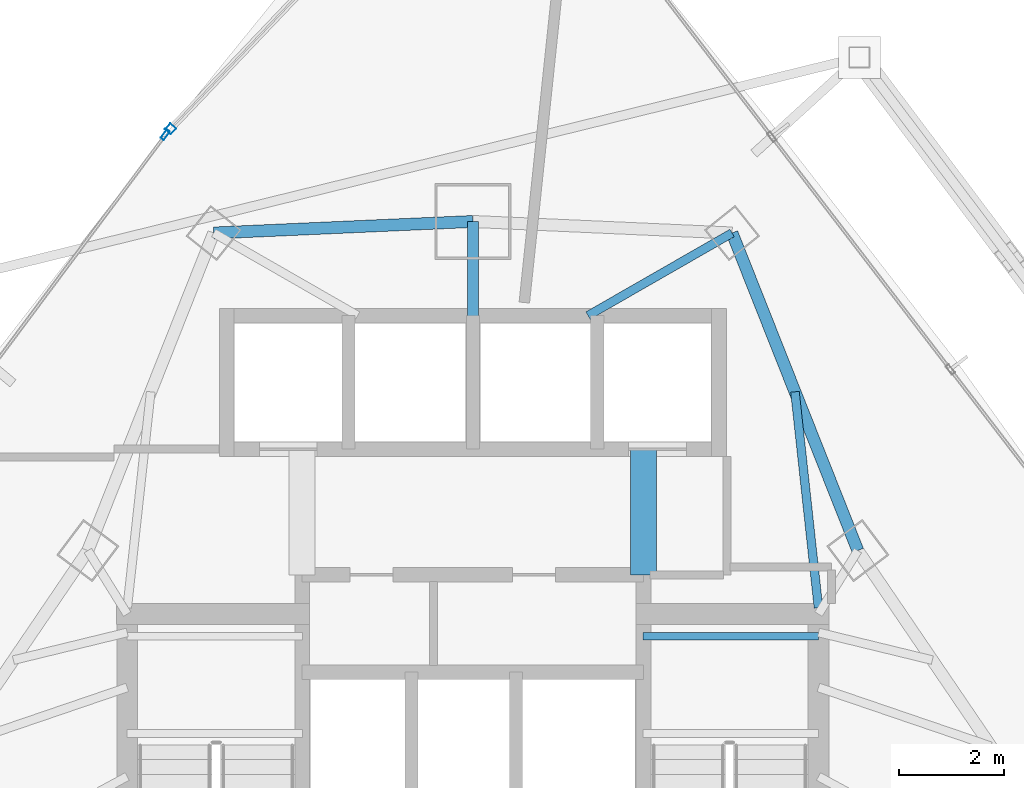
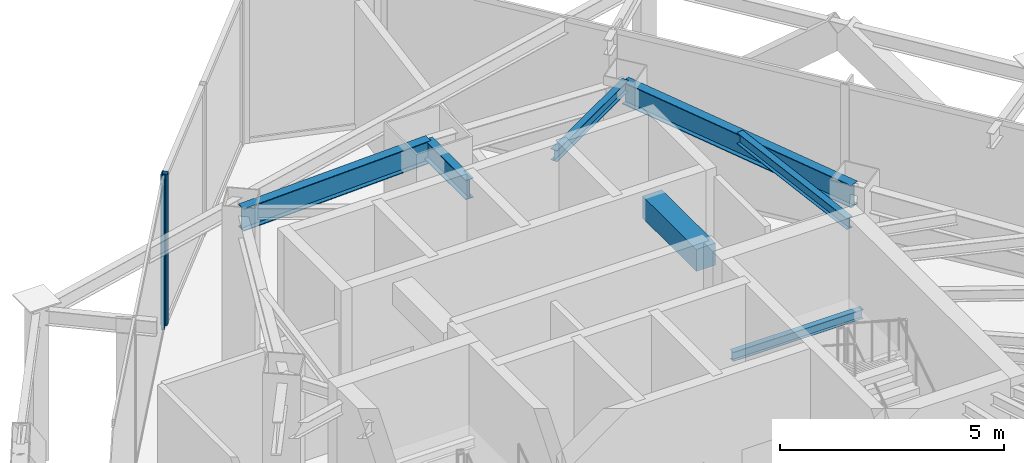
# One storey, part 19 of 28: 7 beams, 2 members, 2 elements without a shape of their own.
"""IFC4 building model written with IfcOpenShell, lengths in metres."""

from ifc_helpers import new_model, si_unit, direction, frame, origin, origin_2d, place, context, subcontext, project, spatial, rectangle, hollow_rectangle, i_section, extrude, material, layer, layer_set, material_profile, profile_set, type_object, element, aggregate, save


model = new_model("IFC4")

# Units and contexts
model_context = context("Model", 3, precision=1e-05, world=origin(), true_north=direction((0.0, 1.0)))
body_context = subcontext(model_context, "Body", "Model", "MODEL_VIEW")
ifc_project = project(units=[si_unit("LENGTHUNIT", "METRE"), si_unit("AREAUNIT", "SQUARE_METRE"), si_unit("VOLUMEUNIT", "CUBIC_METRE"), si_unit("PLANEANGLEUNIT", "RADIAN"), si_unit("MASSUNIT", "GRAM", prefix="KILO")], contexts=[model_context])

# Site, building, storey
site_placement = place(None, origin())
site = spatial("IfcSite", under=ifc_project, at=site_placement, CompositionType="ELEMENT")
building_placement = place(site_placement, origin())
building = spatial("IfcBuilding", under=site, at=building_placement, Name="Orvanel Arch Residences", CompositionType="ELEMENT")
storey_placement = place(building_placement, frame((0.0, 0.0, 146.300048828125)))
storey = spatial("IfcBuildingStorey", under=building, at=storey_placement, Name="L41", CompositionType="ELEMENT", Elevation=146.300048828125)

# Beams
ifc_material_1 = material(Name="Structural steel AS/NZS 3679.1 Grade 300 (300 MPa)", Category="steel")
ifc_material_profile_1 = material_profile(ifc_material_1, i_section(OverallWidth=0.208984375, OverallDepth=0.532958984375, WebThickness=0.01025390625, FlangeThickness=0.015625, at=origin_2d()), Name="530UB92.4")
ifc_profile_set_1 = profile_set([ifc_material_profile_1], Name="Structural steel AS/NZS 3679.1 Grade 300 (300 MPa)")
beam_type_1 = type_object("IfcBeamType", Name="BG-530UB", PredefinedType="BEAM", material=ifc_profile_set_1)
beam_1_placement = place(storey_placement, frame((33.0, 39.550048828125, 3.843017578125), z_axis=(0.0, 1.0, 0.0), x_axis=(-1.0, 0.0, 0.0)))
element("IfcBeam", 1, at=beam_1_placement, inside=storey, type_object=beam_type_1, Name="L41 North Radial Girder", PredefinedType="BEAM", context=body_context, shape_type="SweptSolid", body=[
    extrude(i_section(OverallWidth=0.208984375, OverallDepth=0.532958984375, WebThickness=0.01025390625, FlangeThickness=0.015625, at=origin_2d()), origin(), (0.0, 0.0, 1.0), 1.847900390625),
])
ifc_material_profile_2 = material_profile(ifc_material_1, i_section(OverallWidth=0.14599609375, OverallDepth=0.251953125, WebThickness=0.006103515625, FlangeThickness=0.008544921875, at=origin_2d()), Name="250UB31.4")
ifc_profile_set_2 = profile_set([ifc_material_profile_2], Name="Structural steel AS/NZS 3679.1 Grade 300 (300 MPa)")
beam_type_2 = type_object("IfcBeamType", Name="BJ-250UB", PredefinedType="JOIST", material=ifc_profile_set_2)
beam_2_placement = place(storey_placement, frame((36.25, 33.47998046875, 1.848876953125), z_axis=(1.0, 0.0, 0.0), x_axis=(0.0, 1.0, 0.0)))
element("IfcBeam", 2, at=beam_2_placement, inside=storey, type_object=beam_type_2, Name="L41 ST-2 Half-Landing Support Beam 1.2", PredefinedType="JOIST", context=body_context, shape_type="SweptSolid", body=[
    extrude(i_section(OverallWidth=0.14599609375, OverallDepth=0.251953125, WebThickness=0.006103515625, FlangeThickness=0.008544921875, at=origin_2d()), origin(), (0.0, 0.0, 1.0), 3.35009765625),
])
ifc_material_profile_3 = material_profile(ifc_material_1, i_section(OverallWidth=0.1650390625, OverallDepth=0.303955078125, WebThickness=0.006103515625, FlangeThickness=0.01025390625, at=origin_2d()), Name="310UB40.4")
ifc_profile_set_3 = profile_set([ifc_material_profile_3], Name="Structural steel AS/NZS 3679.1 Grade 300 (300 MPa)")
beam_type_3 = type_object("IfcBeamType", Name="BJ-310UB", PredefinedType="JOIST", material=ifc_profile_set_3)
beam_3_placement = place(storey_placement, frame((39.60009765625, 34.02001953125, 3.9580078125), z_axis=(-0.108261441852, 0.99412245735, 0.0), x_axis=(-0.99412245735, -0.108261441852, 0.0)))
element("IfcBeam", 3, at=beam_3_placement, inside=storey, type_object=beam_type_3, Name="L41 NNE2 Wing Floor Joist", PredefinedType="JOIST", context=body_context, shape_type="SweptSolid", body=[
    extrude(i_section(OverallWidth=0.1650390625, OverallDepth=0.303955078125, WebThickness=0.006103515625, FlangeThickness=0.01025390625, at=origin_2d()), origin(), (0.0, 0.0, 1.0), 4.1494140625),
])
beam_4_placement = place(storey_placement, frame((35.199951171875, 39.60009765625, 3.9580078125), z_axis=(0.86736513383, 0.497672306458, 0.0), x_axis=(-0.497672306458, 0.86736513383, 0.0)))
element("IfcBeam", 4, at=beam_4_placement, inside=storey, type_object=beam_type_3, Name="L41 MNE Wing Floor Joist", PredefinedType="JOIST", context=body_context, shape_type="SweptSolid", body=[
    extrude(i_section(OverallWidth=0.1650390625, OverallDepth=0.303955078125, WebThickness=0.006103515625, FlangeThickness=0.01025390625, at=origin_2d()), origin(), (0.0, 0.0, 1.0), 3.17041015625),
])
ifc_material_2 = material(Name="Concrete S65 (65 MPa)", Category="concrete")
ifc_material_profile_4 = material_profile(ifc_material_2, rectangle(XDim=0.5, YDim=0.60009765625, at=origin_2d()), Name="RC500x600")
ifc_profile_set_4 = profile_set([ifc_material_profile_4], Name="Concrete S65 (65 MPa)")
beam_type_4 = type_object("IfcBeamType", Name="CB-500x600", PredefinedType="LINTEL", material=ifc_profile_set_4)
beam_5_placement = place(storey_placement, frame((36.260009765625, 34.64990234375, 3.81005859375), z_axis=(0.0, 1.0, 0.0), x_axis=(-1.0, 0.0, 0.0)))
element("IfcBeam", 5, at=beam_5_placement, inside=storey, type_object=beam_type_4, Name="L41 East Core Lobby Coupling Lintel Beam", PredefinedType="LINTEL", context=body_context, shape_type="SweptSolid", body=[
    extrude(rectangle(XDim=0.5, YDim=0.60009765625, at=origin_2d()), origin(), (0.0, 0.0, 1.0), 2.400146484375),
])

# Curtain wall, member
ifc_material_3 = material(Name="Bronze-anodised aluminium AA6063-T6", Category="aluminium")
ifc_layer_1 = layer(ifc_material_3, 0.18994140625)
ifc_layer_set_1 = layer_set([ifc_layer_1], Name="Bronze-anodised aluminium AA6063-T6")
curtain_wall_type_1 = type_object("IfcCurtainWallType", Name="CW5-CRN-SYS", PredefinedType="NOTDEFINED", material=ifc_layer_set_1)
curtain_wall_1_placement = place(storey_placement, origin())
curtain_wall_1 = element("IfcCurtainWall", 6, at=curtain_wall_1_placement, inside=storey, type_object=curtain_wall_type_1, Name="L41 CW5-CRN-SYS Unitised Curtain Wall", PredefinedType="NOTDEFINED")
ifc_material_profile_5 = material_profile(ifc_material_3, hollow_rectangle(XDim=0.14990234375, YDim=0.14990234375, WallThickness=0.0048828125, at=origin_2d()), Name="ALU150x150x5")
ifc_profile_set_5 = profile_set([ifc_material_profile_5], Name="Bronze-anodised aluminium AA6063-T6")
member_type_1 = type_object("IfcMemberType", Name="MUL-150x150", PredefinedType="MULLION", material=ifc_profile_set_5)
member_1_placement = place(storey_placement, frame((27.226806640625, 43.166259765625, 0.0), z_axis=(0.0, 0.0, 1.0), x_axis=(0.723855031398, -0.68995209509, 0.0)))
member_1 = element("IfcMember", 7, at=member_1_placement, type_object=member_type_1, Name="CW-S5 mullion 3", PredefinedType="MULLION", context=body_context, shape_type="SweptSolid", body=[
    extrude(hollow_rectangle(XDim=0.14990234375, YDim=0.14990234375, WallThickness=0.0048828125, at=origin_2d()), origin(), (0.0, 0.0, 1.0), 4.10986328125),
])
aggregate(curtain_wall_1, [member_1])

ifc_layer_2 = layer(ifc_material_3, 0.195068359375)
ifc_layer_set_2 = layer_set([ifc_layer_2], Name="Bronze-anodised aluminium AA6063-T6")
curtain_wall_type_2 = type_object("IfcCurtainWallType", Name="CW6-COM-SYS", PredefinedType="NOTDEFINED", material=ifc_layer_set_2)
curtain_wall_2_placement = place(storey_placement, origin())
curtain_wall_2 = element("IfcCurtainWall", 8, at=curtain_wall_2_placement, inside=storey, type_object=curtain_wall_type_2, Name="L41 CW6-COM-SYS Unitised Curtain Wall", PredefinedType="NOTDEFINED")
ifc_material_profile_6 = material_profile(ifc_material_3, hollow_rectangle(XDim=0.074951171875, YDim=0.199951171875, WallThickness=0.0048828125, at=origin_2d()), Name="ALU200x75x5")
ifc_profile_set_6 = profile_set([ifc_material_profile_6], Name="Bronze-anodised aluminium AA6063-T6")
member_type_2 = type_object("IfcMemberType", Name="MUL-200x75", PredefinedType="MULLION", material=ifc_profile_set_6)
member_2_placement = place(storey_placement, frame((27.12646484375, 43.052001953125, 0.0), z_axis=(0.0, 0.0, 1.0), x_axis=(0.801716213377, -0.597704871327, 0.0)))
member_2 = element("IfcMember", 9, at=member_2_placement, type_object=member_type_2, Name="CW-S6 mullion 1", PredefinedType="MULLION", context=body_context, shape_type="SweptSolid", body=[
    extrude(hollow_rectangle(XDim=0.074951171875, YDim=0.199951171875, WallThickness=0.0048828125, at=origin_2d()), origin(), (0.0, 0.0, 1.0), 4.10986328125),
])
aggregate(curtain_wall_2, [member_2])

# Beams
ifc_material_profile_7 = material_profile(ifc_material_1, i_section(OverallWidth=0.22900390625, OverallDepth=0.612060546875, WebThickness=0.011962890625, FlangeThickness=0.01953125, at=origin_2d()), Name="610UB125")
ifc_profile_set_7 = profile_set([ifc_material_profile_7], Name="Structural steel AS/NZS 3679.1 Grade 300 (300 MPa)")
beam_type_5 = type_object("IfcBeamType", Name="SP-610UB", PredefinedType="SPANDREL", material=ifc_profile_set_7)
beam_6_placement = place(storey_placement, frame((40.35205078125, 35.113037109375, 3.803955078125), z_axis=(-0.368233143579, 0.929733484376, 0.0), x_axis=(-0.929733484376, -0.368233143579, 0.0)))
element("IfcBeam", 10, at=beam_6_placement, inside=storey, type_object=beam_type_5, Name="L41 Perimeter Spandrel Beam 13", PredefinedType="SPANDREL", context=body_context, shape_type="SweptSolid", body=[
    extrude(i_section(OverallWidth=0.22900390625, OverallDepth=0.612060546875, WebThickness=0.011962890625, FlangeThickness=0.01953125, at=origin_2d()), origin(), (0.0, 0.0, 1.0), 6.523193359375),
])
beam_7_placement = place(storey_placement, frame((33.0, 41.39794921875, 3.803955078125), z_axis=(-0.999014049296, -0.044395149614, 0.0), x_axis=(0.044395149614, -0.999014049296, 0.0)))
element("IfcBeam", 11, at=beam_7_placement, inside=storey, type_object=beam_type_5, Name="L41 Perimeter Spandrel Beam 15", PredefinedType="SPANDREL", context=body_context, shape_type="SweptSolid", body=[
    extrude(i_section(OverallWidth=0.22900390625, OverallDepth=0.612060546875, WebThickness=0.011962890625, FlangeThickness=0.01953125, at=origin_2d()), origin(), (0.0, 0.0, 1.0), 4.954833984375),
])

save(model, "model.ifc")
